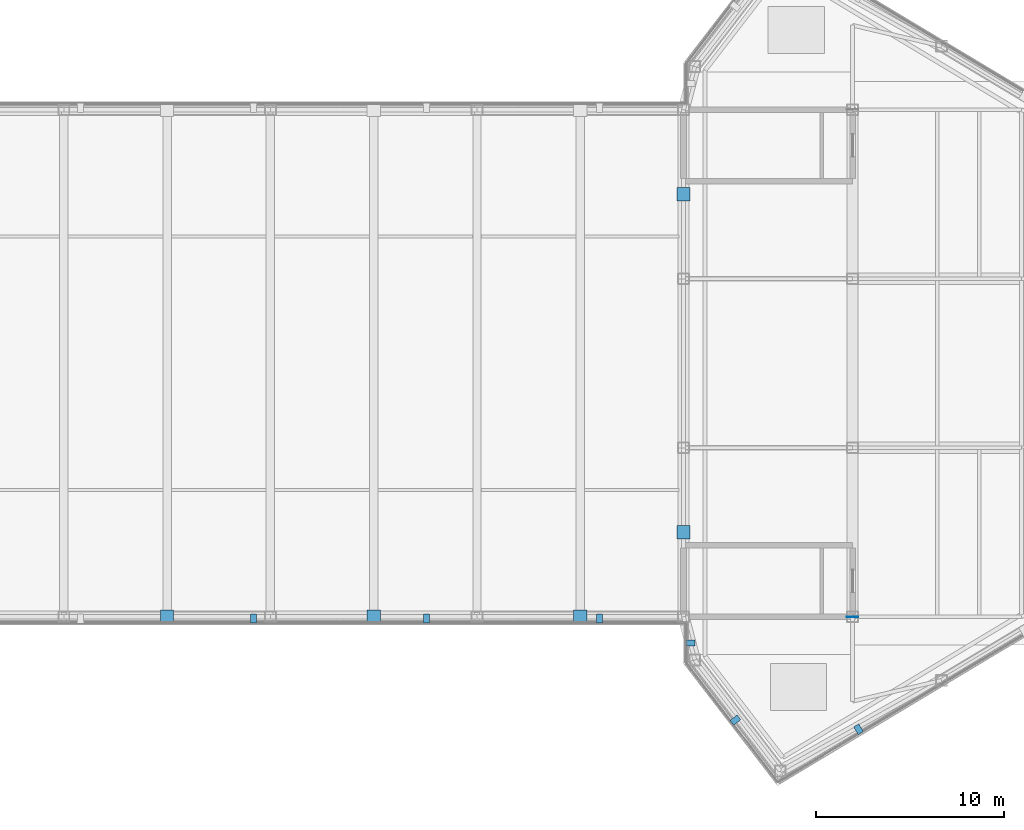
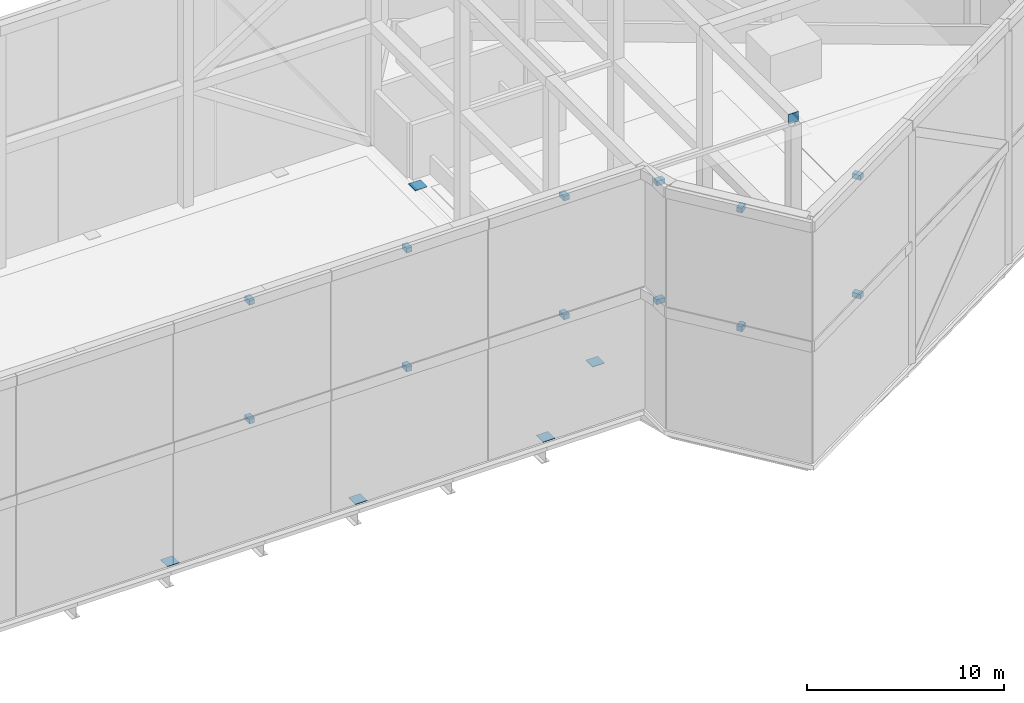
# One storey, part 12 of 16: 18 discrete accessories.
"""IFC4 building model written with IfcOpenShell, lengths in metres."""

from ifc_helpers import new_model, si_unit, direction, frame, origin, origin_2d, place, context, subcontext, project, spatial, rectangle, extrude, source, transform, mapped, material, type_object, type_shapes, element, save


model = new_model("IFC4")

# Units and contexts
model_context = context("Model", 3, precision=1e-05, world=origin(), true_north=direction((0.0, 1.0)))
body_context = subcontext(model_context, "Body", "Model", "MODEL_VIEW")
ifc_project = project(units=[si_unit("LENGTHUNIT", "METRE"), si_unit("AREAUNIT", "SQUARE_METRE"), si_unit("VOLUMEUNIT", "CUBIC_METRE"), si_unit("PLANEANGLEUNIT", "RADIAN"), si_unit("MASSUNIT", "GRAM", prefix="KILO")], contexts=[model_context])

# Site, building, storey
site_placement = place(None, origin())
site = spatial("IfcSite", under=ifc_project, at=site_placement, CompositionType="ELEMENT")
building_placement = place(site_placement, origin())
building = spatial("IfcBuilding", under=site, at=building_placement, Name="Seokmaru Belvedere", CompositionType="ELEMENT")
storey_placement = place(building_placement, frame((0.0, 0.0, 279.0)))
storey = spatial("IfcBuildingStorey", under=building, at=storey_placement, Name="RF", CompositionType="ELEMENT", Elevation=279.0)

# Discrete accessories
ifc_material_1 = material(Name="Stainless Steel 316", Category="steel")
discrete_accessory_type_1 = type_object("IfcDiscreteAccessoryType", Name="Stainless Steel Facade Mounting Bracket", PredefinedType="BRACKET", material=ifc_material_1)
shared_shape_1 = source(origin(), body_context, "Body", "SweptSolid", [
    extrude(rectangle(XDim=0.320068359375, YDim=0.47998046875, at=origin_2d()), origin(), (0.0, 0.0, 1.0), 0.300048828125),
])
type_shapes(discrete_accessory_type_1, [shared_shape_1])
for number, where, z_axis, x_axis, name in (
    (1, (4.606689453125, -13.60009765625, 7.14990234375), (0.0, 0.0, 1.0), (1.0, 0.0, 0.0), "RF Crown Screen Tie Bracket 04-1"),
    (2, (4.606689453125, -13.60009765625, 14.5), (0.0, 0.0, 1.0), (1.0, 0.0, 0.0), "RF Crown Screen Tie Bracket 04-2"),
    (3, (13.820068359375, -13.60009765625, 7.14990234375), (0.0, 0.0, 1.0), (1.0, 0.0, 0.0), "RF Crown Screen Tie Bracket 05-1"),
    (4, (13.820068359375, -13.60009765625, 14.5), (0.0, 0.0, 1.0), (1.0, 0.0, 0.0), "RF Crown Screen Tie Bracket 05-2"),
    (5, (23.033203125, -13.60009765625, 7.14990234375), (0.0, 0.0, 1.0), (1.0, 0.0, 0.0), "RF Crown Screen Tie Bracket 06-1"),
    (6, (23.033203125, -13.60009765625, 14.5), (0.0, 0.0, 1.0), (1.0, 0.0, 0.0), "RF Crown Screen Tie Bracket 06-2"),
    (7, (27.860107421875, -14.88623046875, 7.14990234375), (0.0, 0.0, 1.0), (0.0, -1.0, 0.0), "RF Crown Screen Tie Bracket 07-1"),
    (8, (27.860107421875, -14.88623046875, 14.5), (0.0, 0.0, 1.0), (0.0, -1.0, 0.0), "RF Crown Screen Tie Bracket 07-2"),
    (9, (30.261962890625, -19.0, 7.14990234375), (0.0, 0.0, 1.0), (0.609709487731, -0.792624968425, 0.0), "RF Crown Screen Tie Bracket 08-1"),
    (10, (30.261962890625, -19.0, 14.5), (0.0, 0.0, 1.0), (0.609709487731, -0.792624968425, 0.0), "RF Crown Screen Tie Bracket 08-2"),
    (11, (36.817626953125, -19.48974609375, 7.14990234375), (0.0, 0.0, 1.0), (0.857492535386, 0.514496405972, 0.0), "RF Crown Screen Tie Bracket 09-1"),
    (12, (36.817626953125, -19.48974609375, 14.5), (0.0, 0.0, 1.0), (0.857492535386, 0.514496405972, 0.0), "RF Crown Screen Tie Bracket 09-2"),
):
    element("IfcDiscreteAccessory", number, at=place(storey_placement, frame(where, z_axis=z_axis, x_axis=x_axis)), inside=storey, type_object=discrete_accessory_type_1, Name=name, PredefinedType="BRACKET", context=body_context, shape_type="MappedRepresentation", body=[
        mapped(shared_shape_1, transform((0.0, 0.0, 0.0), scale=1.0)),
    ])
ifc_material_2 = material(Name="Steel SM355 (355 MPa)", Category="steel")
discrete_accessory_type_2 = type_object("IfcDiscreteAccessoryType", Name="End Cap Plate BOX-700x700x30", PredefinedType="USERDEFINED", material=ifc_material_2)
shared_shape_2 = source(origin(), body_context, "Body", "SweptSolid", [
    extrude(rectangle(XDim=0.699951171875, YDim=0.699951171875, at=origin_2d()), origin(), (0.0, 0.0, 1.0), 0.030029296875),
])
type_shapes(discrete_accessory_type_2, [shared_shape_2])
for number, where, z_axis, x_axis, name in (
    (13, (27.5, -9.0, 0.0), (0.0, 0.0, 1.0), (1.0, 0.0, 0.0), "L72 Column ES2 End Cap Plate Top"),
    (14, (27.5, 9.0, 0.0), (0.0, 0.0, 1.0), (1.0, 0.0, 0.0), "L72 Column ES5 End Cap Plate Top"),
    (15, (0.0, -13.5, 0.0), (0.0, 0.0, 1.0), (1.0, 0.0, 0.0), "L72 Column BRS_5 End Cap Plate Top"),
    (16, (11.0, -13.5, 0.0), (0.0, 0.0, 1.0), (1.0, 0.0, 0.0), "L72 Column BRS_7 End Cap Plate Top"),
    (17, (22.0, -13.5, 0.0), (0.0, 0.0, 1.0), (1.0, 0.0, 0.0), "L72 Column BRS_9 End Cap Plate Top"),
):
    element("IfcDiscreteAccessory", number, at=place(storey_placement, frame(where, z_axis=z_axis, x_axis=x_axis)), inside=storey, type_object=discrete_accessory_type_2, Name=name, ObjectType="END_CAP_PLATE", PredefinedType="USERDEFINED", context=body_context, shape_type="MappedRepresentation", body=[
        mapped(shared_shape_2, transform((0.0, 0.0, 0.0), scale=1.0)),
    ])
discrete_accessory_type_3 = type_object("IfcDiscreteAccessoryType", Name="End Cap Plate HSS-600x600x25", PredefinedType="USERDEFINED", material=ifc_material_2)
shared_shape_3 = source(origin(), body_context, "Body", "SweptSolid", [
    extrude(rectangle(XDim=0.02490234375, YDim=0.60009765625, at=origin_2d()), origin(), (0.0, 0.0, 1.0), 0.60009765625),
])
type_shapes(discrete_accessory_type_3, [shared_shape_3])
discrete_accessory_placement = place(storey_placement, frame((36.5, -13.512451171875, 14.39990234375), z_axis=(0.0, 0.0, 1.0), x_axis=(0.0, -1.0, 0.0)))
element("IfcDiscreteAccessory", 18, at=discrete_accessory_placement, inside=storey, type_object=discrete_accessory_type_3, Name="RF Crown Cross Tie CROWN FRAME T2-E2-1 End Cap Plate Start", ObjectType="END_CAP_PLATE", PredefinedType="USERDEFINED", context=body_context, shape_type="MappedRepresentation", body=[
    mapped(shared_shape_3, transform((0.0, 0.0, 0.0), scale=1.0)),
])

save(model, "model.ifc")
